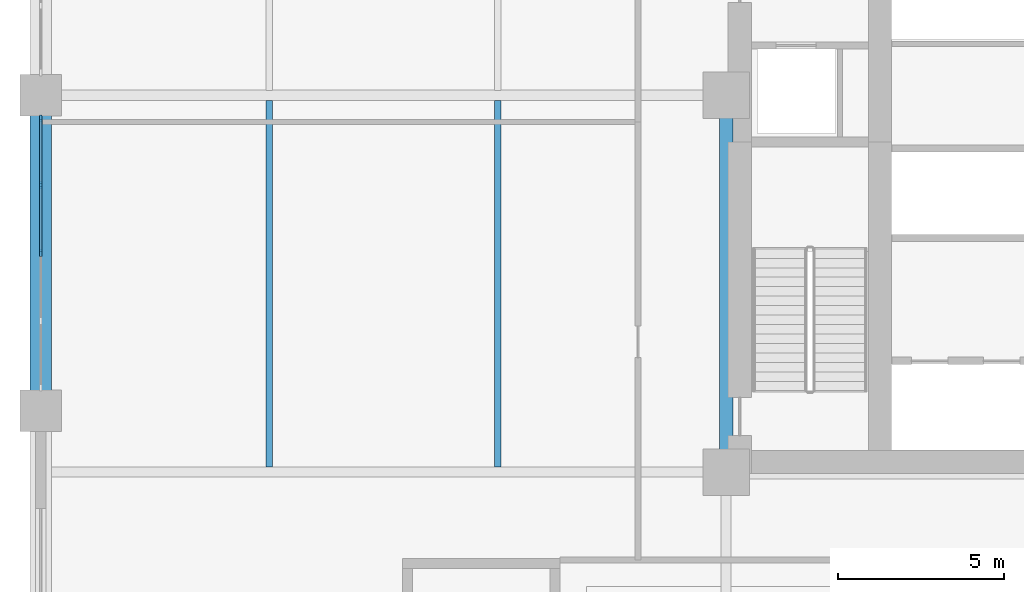
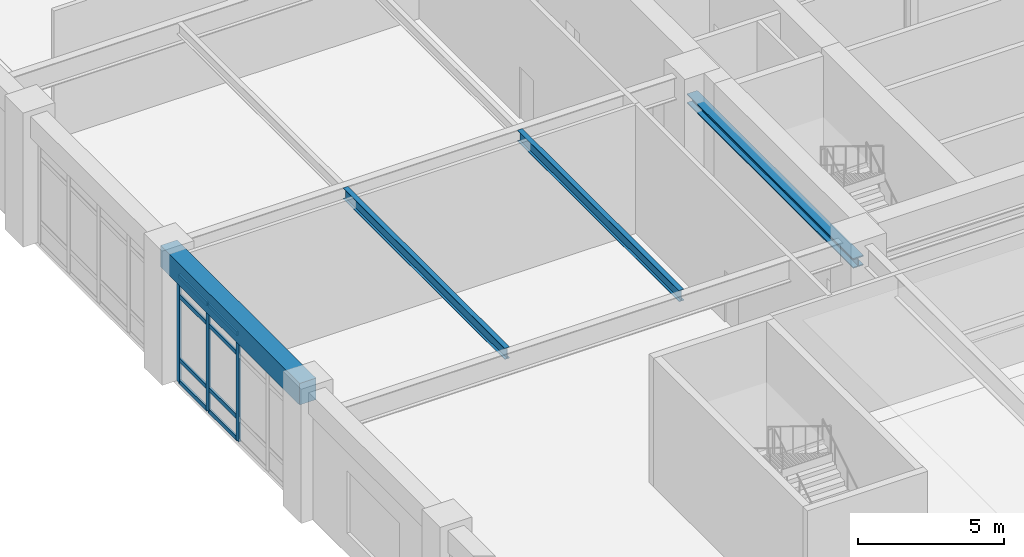
# One storey, part 3 of 21: 12 members, 3 beams, 1 element without a shape of its own.
"""IFC4 building model written with IfcOpenShell, lengths in metres."""

from ifc_helpers import new_model, si_unit, direction, frame, origin, origin_2d, place, context, subcontext, project, spatial, rectangle, i_section, extrude, material, layer, layer_set, material_profile, profile_set, type_object, element, aggregate, save


model = new_model("IFC4")

# Units and contexts
model_context = context("Model", 3, precision=1e-05, world=origin(), true_north=direction((0.0, 1.0)))
body_context = subcontext(model_context, "Body", "Model", "MODEL_VIEW")
ifc_project = project(units=[si_unit("LENGTHUNIT", "METRE"), si_unit("AREAUNIT", "SQUARE_METRE"), si_unit("VOLUMEUNIT", "CUBIC_METRE"), si_unit("PLANEANGLEUNIT", "RADIAN"), si_unit("MASSUNIT", "GRAM", prefix="KILO")], contexts=[model_context])

# Site, building, storey
site_placement = place(None, origin())
site = spatial("IfcSite", under=ifc_project, at=site_placement, CompositionType="ELEMENT")
building_placement = place(site_placement, origin())
building = spatial("IfcBuilding", under=site, at=building_placement, Name="Nhamokura Convention Tower", CompositionType="ELEMENT")
storey_placement = place(building_placement, frame((0.0, 0.0, 6.64990234375)))
storey = spatial("IfcBuildingStorey", under=building, at=storey_placement, Name="L01", CompositionType="ELEMENT", Elevation=6.64990234375)

# Curtain wall, members
ifc_material_1 = material(Name="Anodised bronze aluminium AA6063-T6", Category="aluminium")
ifc_layer = layer(ifc_material_1, 0.179931640625)
ifc_layer_set = layer_set([ifc_layer], Name="CWSystem_PodiumConcourse")
curtain_wall_type = type_object("IfcCurtainWallType", Name="CWSystem_PodiumConcourse", PredefinedType="NOTDEFINED", material=ifc_layer_set)
curtain_wall_placement = place(storey_placement, origin())
curtain_wall = element("IfcCurtainWall", 1, at=curtain_wall_placement, inside=storey, type_object=curtain_wall_type, Name="L01 Curtain Wall ENV-L01-CW-W2", PredefinedType="NOTDEFINED")
ifc_material_2 = material(Name="Anodised bronze aluminium AA6063-T6", Category="aluminium")
ifc_material_profile_1 = material_profile(ifc_material_2, rectangle(XDim=0.077880859375, YDim=0.201904296875, at=origin_2d()))
ifc_profile_set_1 = profile_set([ifc_material_profile_1], Name="Anodised bronze aluminium AA6063-T6")
member_type_1 = type_object("IfcMemberType", Name="CWMullion_1", PredefinedType="MULLION", material=ifc_profile_set_1)
member_1_placement = place(storey_placement, frame((0.0, 27.25, 0.0), z_axis=(0.0, 0.0, 1.0), x_axis=(-1.0, 0.0, 0.0)))
member_1 = element("IfcMember", 2, at=member_1_placement, type_object=member_type_1, Name="CW-01 mullion 3", PredefinedType="MULLION", context=body_context, shape_type="SweptSolid", body=[
    extrude(rectangle(XDim=0.077880859375, YDim=0.201904296875, at=origin_2d()), origin(), (0.0, 0.0, 1.0), 4.460205078125),
])
member_2_placement = place(storey_placement, frame((0.0, 29.300048828125, 0.0), z_axis=(0.0, 0.0, 1.0), x_axis=(-1.0, 0.0, 0.0)))
member_2 = element("IfcMember", 3, at=member_2_placement, type_object=member_type_1, Name="CW-01 mullion 4", PredefinedType="MULLION", context=body_context, shape_type="SweptSolid", body=[
    extrude(rectangle(XDim=0.077880859375, YDim=0.201904296875, at=origin_2d()), origin(), (0.0, 0.0, 1.0), 4.460205078125),
])
member_3_placement = place(storey_placement, frame((0.0, 31.31103515625, 0.0), z_axis=(0.0, 0.0, 1.0), x_axis=(-1.0, 0.0, 0.0)))
member_3 = element("IfcMember", 4, at=member_3_placement, type_object=member_type_1, Name="CW-01 mullion 5", PredefinedType="MULLION", context=body_context, shape_type="SweptSolid", body=[
    extrude(rectangle(XDim=0.077880859375, YDim=0.201904296875, at=origin_2d()), origin(), (0.0, 0.0, 1.0), 4.460205078125),
])
ifc_material_3 = material(Name="Anodised bronze aluminium AA6063-T6", Category="aluminium")
ifc_material_profile_2 = material_profile(ifc_material_3, rectangle(XDim=0.077880859375, YDim=0.172119140625, at=origin_2d()))
ifc_profile_set_2 = profile_set([ifc_material_profile_2], Name="Anodised bronze aluminium AA6063-T6")
member_type_2 = type_object("IfcMemberType", Name="CWTransom_1", PredefinedType="USERDEFINED", material=ifc_profile_set_2)
member_4_placement = place(storey_placement, frame((0.0, 27.2890625, 0.0390625), z_axis=(0.0, 1.0, 0.0), x_axis=(-1.0, 0.0, 0.0)))
member_4 = element("IfcMember", 5, at=member_4_placement, type_object=member_type_2, Name="CW-01 transom 3.1", ObjectType="TRANSOM", PredefinedType="USERDEFINED", context=body_context, shape_type="SweptSolid", body=[
    extrude(rectangle(XDim=0.077880859375, YDim=0.172119140625, at=origin_2d()), origin(), (0.0, 0.0, 1.0), 1.971923828125),
])
member_5_placement = place(storey_placement, frame((0.0, 27.2890625, 0.9501953125), z_axis=(0.0, 1.0, 0.0), x_axis=(-1.0, 0.0, 0.0)))
member_5 = element("IfcMember", 6, at=member_5_placement, type_object=member_type_2, Name="CW-01 transom 3.2", ObjectType="TRANSOM", PredefinedType="USERDEFINED", context=body_context, shape_type="SweptSolid", body=[
    extrude(rectangle(XDim=0.077880859375, YDim=0.172119140625, at=origin_2d()), origin(), (0.0, 0.0, 1.0), 1.971923828125),
])
member_6_placement = place(storey_placement, frame((0.0, 27.2890625, 3.610107421875), z_axis=(0.0, 1.0, 0.0), x_axis=(-1.0, 0.0, 0.0)))
member_6 = element("IfcMember", 7, at=member_6_placement, type_object=member_type_2, Name="CW-01 transom 3.3", ObjectType="TRANSOM", PredefinedType="USERDEFINED", context=body_context, shape_type="SweptSolid", body=[
    extrude(rectangle(XDim=0.077880859375, YDim=0.172119140625, at=origin_2d()), origin(), (0.0, 0.0, 1.0), 1.971923828125),
])
member_7_placement = place(storey_placement, frame((0.0, 27.2890625, 4.421142578125), z_axis=(0.0, 1.0, 0.0), x_axis=(-1.0, 0.0, 0.0)))
member_7 = element("IfcMember", 8, at=member_7_placement, type_object=member_type_2, Name="CW-01 transom 3.4", ObjectType="TRANSOM", PredefinedType="USERDEFINED", context=body_context, shape_type="SweptSolid", body=[
    extrude(rectangle(XDim=0.077880859375, YDim=0.172119140625, at=origin_2d()), origin(), (0.0, 0.0, 1.0), 1.971923828125),
])
member_8_placement = place(storey_placement, frame((0.0, 29.339111328125, 0.0390625), z_axis=(0.0, 1.0, 0.0), x_axis=(-1.0, 0.0, 0.0)))
member_8 = element("IfcMember", 9, at=member_8_placement, type_object=member_type_2, Name="CW-01 transom 4.1", ObjectType="TRANSOM", PredefinedType="USERDEFINED", context=body_context, shape_type="SweptSolid", body=[
    extrude(rectangle(XDim=0.077880859375, YDim=0.172119140625, at=origin_2d()), origin(), (0.0, 0.0, 1.0), 1.932861328125),
])
member_9_placement = place(storey_placement, frame((0.0, 29.339111328125, 0.9501953125), z_axis=(0.0, 1.0, 0.0), x_axis=(-1.0, 0.0, 0.0)))
member_9 = element("IfcMember", 10, at=member_9_placement, type_object=member_type_2, Name="CW-01 transom 4.2", ObjectType="TRANSOM", PredefinedType="USERDEFINED", context=body_context, shape_type="SweptSolid", body=[
    extrude(rectangle(XDim=0.077880859375, YDim=0.172119140625, at=origin_2d()), origin(), (0.0, 0.0, 1.0), 1.932861328125),
])
member_10_placement = place(storey_placement, frame((0.0, 29.339111328125, 3.610107421875), z_axis=(0.0, 1.0, 0.0), x_axis=(-1.0, 0.0, 0.0)))
member_10 = element("IfcMember", 11, at=member_10_placement, type_object=member_type_2, Name="CW-01 transom 4.3", ObjectType="TRANSOM", PredefinedType="USERDEFINED", context=body_context, shape_type="SweptSolid", body=[
    extrude(rectangle(XDim=0.077880859375, YDim=0.172119140625, at=origin_2d()), origin(), (0.0, 0.0, 1.0), 1.932861328125),
])
member_11_placement = place(storey_placement, frame((0.0, 29.339111328125, 4.421142578125), z_axis=(0.0, 1.0, 0.0), x_axis=(-1.0, 0.0, 0.0)))
member_11 = element("IfcMember", 12, at=member_11_placement, type_object=member_type_2, Name="CW-01 transom 4.4", ObjectType="TRANSOM", PredefinedType="USERDEFINED", context=body_context, shape_type="SweptSolid", body=[
    extrude(rectangle(XDim=0.077880859375, YDim=0.172119140625, at=origin_2d()), origin(), (0.0, 0.0, 1.0), 1.932861328125),
])
aggregate(curtain_wall, [member_1, member_2, member_3, member_4, member_5, member_6, member_7, member_8, member_9, member_10, member_11])

# Beams
ifc_material_4 = material(Name="Steel ASTM A992 Gr 50", Category="steel")
ifc_material_profile_3 = material_profile(ifc_material_4, i_section(OverallWidth=0.19189453125, OverallDepth=0.462890625, WebThickness=0.010498046875, FlangeThickness=0.017578125, at=origin_2d()))
ifc_profile_set_3 = profile_set([ifc_material_profile_3], Name="Steel ASTM A992 Gr 50")
beam_type_1 = type_object("IfcBeamType", Name="FloorJoist_W460X89", PredefinedType="JOIST", material=ifc_profile_set_3)
for number, where, z_axis, x_axis, name in (
    (13, (6.88330078125, 20.802001953125, 5.128662109375), (0.0, 1.0, 0.0), (-1.0, 0.0, 0.0), "L01 Composite Floor Joist W1A"),
    (14, (13.7666015625, 20.802001953125, 5.128662109375), (0.0, 1.0, 0.0), (-1.0, 0.0, 0.0), "L01 Composite Floor Joist W2A"),
):
    element("IfcBeam", number, at=place(storey_placement, frame(where, z_axis=z_axis, x_axis=x_axis)), inside=storey, type_object=beam_type_1, Name=name, PredefinedType="JOIST", context=body_context, shape_type="SweptSolid", body=[
        extrude(i_section(OverallWidth=0.19189453125, OverallDepth=0.462890625, WebThickness=0.010498046875, FlangeThickness=0.017578125, at=origin_2d()), origin(), (0.0, 0.0, 1.0), 11.0458984375),
    ])

# Member
ifc_material_5 = material(Name="Steel ASTM A572 Gr 50", Category="steel")
ifc_material_profile_4 = material_profile(ifc_material_5, i_section(OverallWidth=0.404052734375, OverallDepth=0.406982421875, WebThickness=0.027099609375, FlangeThickness=0.043701171875, at=origin_2d()))
ifc_profile_set_4 = profile_set([ifc_material_profile_4], Name="Steel ASTM A572 Gr 50")
member_type_3 = type_object("IfcMemberType", Name="HallTrussChord_W360X347", PredefinedType="CHORD", material=ifc_profile_set_4)
member_12_placement = place(storey_placement, frame((20.64990234375, 20.64990234375, 4.210205078125), z_axis=(0.0, 1.0, 0.0), x_axis=(-1.0, 0.0, 0.0)))
element("IfcMember", 15, at=member_12_placement, inside=storey, type_object=member_type_3, Name="L01 Convention Hall Truss Chord HTC-W", PredefinedType="CHORD", context=body_context, shape_type="SweptSolid", body=[
    extrude(i_section(OverallWidth=0.404052734375, OverallDepth=0.406982421875, WebThickness=0.027099609375, FlangeThickness=0.043701171875, at=origin_2d()), origin(), (0.0, 0.0, 1.0), 11.35009765625),
])

# Beam
ifc_material_6 = material(Name="Concrete C60/75", Category="concrete")
ifc_material_profile_5 = material_profile(ifc_material_6, rectangle(XDim=0.64990234375, YDim=0.89990234375, at=origin_2d()))
ifc_profile_set_5 = profile_set([ifc_material_profile_5], Name="Concrete C60/75")
beam_type_2 = type_object("IfcBeamType", Name="TubeSpandrel_900", PredefinedType="SPANDREL", material=ifc_profile_set_5)
beam_placement = place(storey_placement, frame((0.0, 22.5, 4.91015625), z_axis=(0.0, 1.0, 0.0), x_axis=(-1.0, 0.0, 0.0)))
element("IfcBeam", 16, at=beam_placement, inside=storey, type_object=beam_type_2, Name="L01 Perimeter Spandrel WEST 3", PredefinedType="SPANDREL", context=body_context, shape_type="SweptSolid", body=[
    extrude(rectangle(XDim=0.64990234375, YDim=0.89990234375, at=origin_2d()), origin(), (0.0, 0.0, 1.0), 9.5),
])

save(model, "model.ifc")
